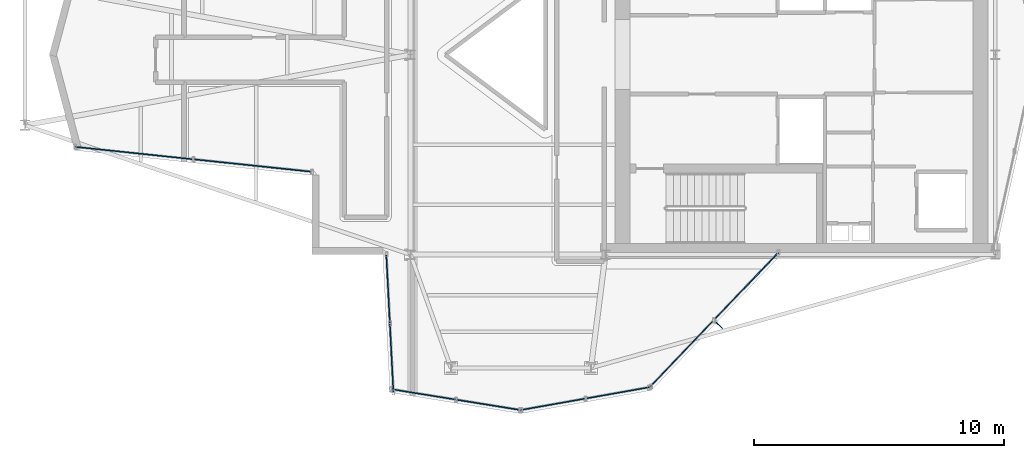
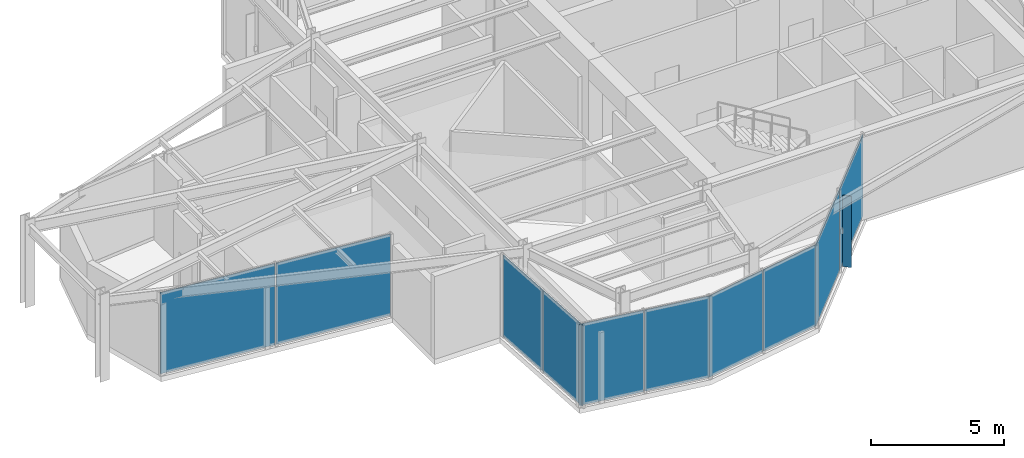
# One storey, part 8 of 14: 11 plates, 5 elements without a shape of their own.
"""IFC4 building model written with IfcOpenShell, lengths in metres."""

from ifc_helpers import new_model, si_unit, direction, frame, origin, origin_2d, place, context, subcontext, project, spatial, rectangle, extrude, material, layer, layer_set, type_object, element, aggregate, save


model = new_model("IFC4")

# Units and contexts
model_context = context("Model", 3, precision=1e-05, world=origin(), true_north=direction((0.0, 1.0)))
body_context = subcontext(model_context, "Body", "Model", "MODEL_VIEW")
ifc_project = project(units=[si_unit("LENGTHUNIT", "METRE"), si_unit("AREAUNIT", "SQUARE_METRE"), si_unit("VOLUMEUNIT", "CUBIC_METRE"), si_unit("PLANEANGLEUNIT", "RADIAN"), si_unit("MASSUNIT", "GRAM", prefix="KILO")], contexts=[model_context])

# Site, building, storey
site_placement = place(None, origin())
site = spatial("IfcSite", under=ifc_project, at=site_placement, CompositionType="ELEMENT")
building_placement = place(site_placement, origin())
building = spatial("IfcBuilding", under=site, at=building_placement, Name="Veymaron Broadcast Tower", CompositionType="ELEMENT")
storey_placement = place(building_placement, frame((0.0, 0.0, 295.199951171875)))
storey = spatial("IfcBuildingStorey", under=building, at=storey_placement, Name="L69", CompositionType="ELEMENT", Elevation=295.199951171875)

# Curtain wall, plates
ifc_material_1 = material(Name="Anodised aluminium AA 6063-T6 and laminated low-E dark glass", Category="aluminium")
ifc_layer_1 = layer(ifc_material_1, 0.179931640625)
ifc_layer_set_1 = layer_set([ifc_layer_1], Name="Anodised aluminium AA 6063-T6 and laminated low-E dark glass")
curtain_wall_type = type_object("IfcCurtainWallType", Name="CW-SYS-06", PredefinedType="NOTDEFINED", material=ifc_layer_set_1)
curtain_wall_1_placement = place(storey_placement, origin())
curtain_wall_1 = element("IfcCurtainWall", 1, at=curtain_wall_1_placement, inside=storey, type_object=curtain_wall_type, Name="L69 dark-glass curtain wall CW-L69-E14-1", PredefinedType="NOTDEFINED")
ifc_material_2 = material(Name="Insulated dark-anodised aluminium spandrel panel 40 mm", Category="aluminium")
ifc_layer_2 = layer(ifc_material_2, 0.0400390625)
ifc_layer_set_2 = layer_set([ifc_layer_2], Name="Insulated dark-anodised aluminium spandrel panel 40 mm")
plate_type_1 = type_object("IfcPlateType", Name="CW-PNL-03", PredefinedType="CURTAIN_PANEL", material=ifc_layer_set_2)
plate_1_placement = place(storey_placement, frame((20.14697265625, 20.064453125, 0.0400390625), z_axis=(0.0, 0.0, 1.0), x_axis=(0.994518246031, -0.104563178567, 0.0)))
plate_1 = element("IfcPlate", 2, at=plate_1_placement, type_object=plate_type_1, Name="CW-L69-E14-1 unitised curtain panel 0", PredefinedType="CURTAIN_PANEL", context=body_context, shape_type="SweptSolid", body=[
    extrude(rectangle(XDim=4.7109375, YDim=0.0400390625, at=origin_2d()), origin(), (0.0, 0.0, 1.0), 3.72998046875),
])
plate_2_placement = place(storey_placement, frame((24.891845703125, 19.5654296875, 0.0400390625), z_axis=(0.0, 0.0, 1.0), x_axis=(0.994518246031, -0.104563178567, 0.0)))
plate_2 = element("IfcPlate", 3, at=plate_2_placement, type_object=plate_type_1, Name="CW-L69-E14-1 unitised curtain panel 1", PredefinedType="CURTAIN_PANEL", context=body_context, shape_type="SweptSolid", body=[
    extrude(rectangle(XDim=4.7109375, YDim=0.0400390625, at=origin_2d()), origin(), (0.0, 0.0, 1.0), 3.72998046875),
])
aggregate(curtain_wall_1, [plate_1, plate_2])

curtain_wall_2_placement = place(storey_placement, origin())
curtain_wall_2 = element("IfcCurtainWall", 4, at=curtain_wall_2_placement, inside=storey, type_object=curtain_wall_type, Name="L69 dark-glass curtain wall CW-L69-E17-1", PredefinedType="NOTDEFINED")
plate_3_placement = place(storey_placement, frame((30.301513671875, 14.6279296875, 0.0400390625), z_axis=(0.0, 0.0, 1.0), x_axis=(0.051377316741, -0.998679313556, 0.0)))
plate_3 = element("IfcPlate", 5, at=plate_3_placement, type_object=plate_type_1, Name="CW-L69-E17-1 unitised curtain panel 0", PredefinedType="CURTAIN_PANEL", context=body_context, shape_type="SweptSolid", body=[
    extrude(rectangle(XDim=2.7021484375, YDim=0.0400390625, at=origin_2d()), origin(), (0.0, 0.0, 1.0), 3.72998046875),
])
plate_4_placement = place(storey_placement, frame((30.443359375, 11.869384765625, 0.0400390625), z_axis=(0.0, 0.0, 1.0), x_axis=(0.051377316741, -0.998679313556, 0.0)))
plate_4 = element("IfcPlate", 6, at=plate_4_placement, type_object=plate_type_1, Name="CW-L69-E17-1 unitised curtain panel 1", PredefinedType="CURTAIN_PANEL", context=body_context, shape_type="SweptSolid", body=[
    extrude(rectangle(XDim=2.7021484375, YDim=0.0400390625, at=origin_2d()), origin(), (0.0, 0.0, 1.0), 3.72998046875),
])
aggregate(curtain_wall_2, [plate_3, plate_4])

curtain_wall_3_placement = place(storey_placement, origin())
curtain_wall_3 = element("IfcCurtainWall", 7, at=curtain_wall_3_placement, inside=storey, type_object=curtain_wall_type, Name="L69 dark-glass curtain wall CW-L69-E18-1", PredefinedType="NOTDEFINED")
plate_5_placement = place(storey_placement, frame((31.70556640625, 10.409912109375, 0.0400390625), z_axis=(0.0, 0.0, 1.0), x_axis=(0.987250420904, -0.15917476692, 0.0)))
plate_5 = element("IfcPlate", 8, at=plate_5_placement, type_object=plate_type_1, Name="CW-L69-E18-1 unitised curtain panel 0", PredefinedType="CURTAIN_PANEL", context=body_context, shape_type="SweptSolid", body=[
    extrude(rectangle(XDim=2.59130859375, YDim=0.0400390625, at=origin_2d()), origin(), (0.0, 0.0, 1.0), 3.72998046875),
])
plate_6_placement = place(storey_placement, frame((34.32275390625, 9.988037109375, 0.0400390625), z_axis=(0.0, 0.0, 1.0), x_axis=(0.987250420904, -0.15917476692, 0.0)))
plate_6 = element("IfcPlate", 9, at=plate_6_placement, type_object=plate_type_1, Name="CW-L69-E18-1 unitised curtain panel 1", PredefinedType="CURTAIN_PANEL", context=body_context, shape_type="SweptSolid", body=[
    extrude(rectangle(XDim=2.59130859375, YDim=0.0400390625, at=origin_2d()), origin(), (0.0, 0.0, 1.0), 3.72998046875),
])
aggregate(curtain_wall_3, [plate_5, plate_6])

curtain_wall_4_placement = place(storey_placement, origin())
curtain_wall_4 = element("IfcCurtainWall", 10, at=curtain_wall_4_placement, inside=storey, type_object=curtain_wall_type, Name="L69 dark-glass curtain wall CW-L69-E19-1", PredefinedType="NOTDEFINED")
plate_7_placement = place(storey_placement, frame((36.8935546875, 10.0087890625, 0.0400390625), z_axis=(0.0, 0.0, 1.0), x_axis=(0.984634513959, 0.174627815429, 0.0)))
plate_7 = element("IfcPlate", 11, at=plate_7_placement, type_object=plate_type_1, Name="CW-L69-E19-1 unitised curtain panel 0", PredefinedType="CURTAIN_PANEL", context=body_context, shape_type="SweptSolid", body=[
    extrude(rectangle(XDim=2.59814453125, YDim=0.0400390625, at=origin_2d()), origin(), (0.0, 0.0, 1.0), 3.72998046875),
])
plate_8_placement = place(storey_placement, frame((39.5107421875, 10.472900390625, 0.0400390625), z_axis=(0.0, 0.0, 1.0), x_axis=(0.984634513959, 0.174627815429, 0.0)))
plate_8 = element("IfcPlate", 12, at=plate_8_placement, type_object=plate_type_1, Name="CW-L69-E19-1 unitised curtain panel 1", PredefinedType="CURTAIN_PANEL", context=body_context, shape_type="SweptSolid", body=[
    extrude(rectangle(XDim=2.59814453125, YDim=0.0400390625, at=origin_2d()), origin(), (0.0, 0.0, 1.0), 3.72998046875),
])
aggregate(curtain_wall_4, [plate_7, plate_8])

curtain_wall_5_placement = place(storey_placement, origin())
curtain_wall_5 = element("IfcCurtainWall", 13, at=curtain_wall_5_placement, inside=storey, type_object=curtain_wall_type, Name="L69 dark-glass curtain wall CW-L69-E20-1", PredefinedType="NOTDEFINED")
plate_9_placement = place(storey_placement, frame((42.04052734375, 12.022216796875, 0.0400390625), z_axis=(0.0, 0.0, 1.0), x_axis=(0.690869792815, 0.722979203972, 0.0)))
plate_9 = element("IfcPlate", 14, at=plate_9_placement, type_object=plate_type_1, Name="CW-L69-E20-1 unitised curtain panel 0", PredefinedType="CURTAIN_PANEL", context=body_context, shape_type="SweptSolid", body=[
    extrude(rectangle(XDim=3.697265625, YDim=0.0400390625, at=origin_2d()), origin(), (0.0, 0.0, 1.0), 3.72998046875),
])
plate_10_placement = place(storey_placement, frame((44.636474609375, 14.738525390625, 0.0400390625), z_axis=(0.0, 0.0, 1.0), x_axis=(0.690869792815, 0.722979203972, 0.0)))
plate_10 = element("IfcPlate", 15, at=plate_10_placement, type_object=plate_type_1, Name="CW-L69-E20-1 unitised curtain panel 1", PredefinedType="CURTAIN_PANEL", context=body_context, shape_type="SweptSolid", body=[
    extrude(rectangle(XDim=3.697265625, YDim=0.0400390625, at=origin_2d()), origin(), (0.0, 0.0, 1.0), 3.72998046875),
])
aggregate(curtain_wall_5, [plate_9, plate_10])

# Plate
ifc_material_3 = material(Name="Dark-anodised aluminium AA 6061-T6", Category="aluminium")
ifc_layer_3 = layer(ifc_material_3, 0.030029296875)
ifc_layer_set_3 = layer_set([ifc_layer_3], Name="Dark-anodised aluminium AA 6061-T6")
plate_type_2 = type_object("IfcPlateType", Name="FIN-CHEV-02", PredefinedType="USERDEFINED", material=ifc_layer_set_3)
plate_11_placement = place(storey_placement, frame((43.55908203125, 13.169677734375, 0.2666015625), z_axis=(0.0, 0.0, 1.0), x_axis=(0.722979203972, -0.690869792815, 0.0)))
element("IfcPlate", 16, at=plate_11_placement, inside=storey, type_object=plate_type_2, Name="CW-L69-E20-1 chevron fin 1", ObjectType="FIN", PredefinedType="USERDEFINED", context=body_context, shape_type="SweptSolid", body=[
    extrude(rectangle(XDim=0.35009765625, YDim=0.034912109375, at=origin_2d()), origin(), (0.0, 0.0, 1.0), 3.276611328125),
])

save(model, "model.ifc")
